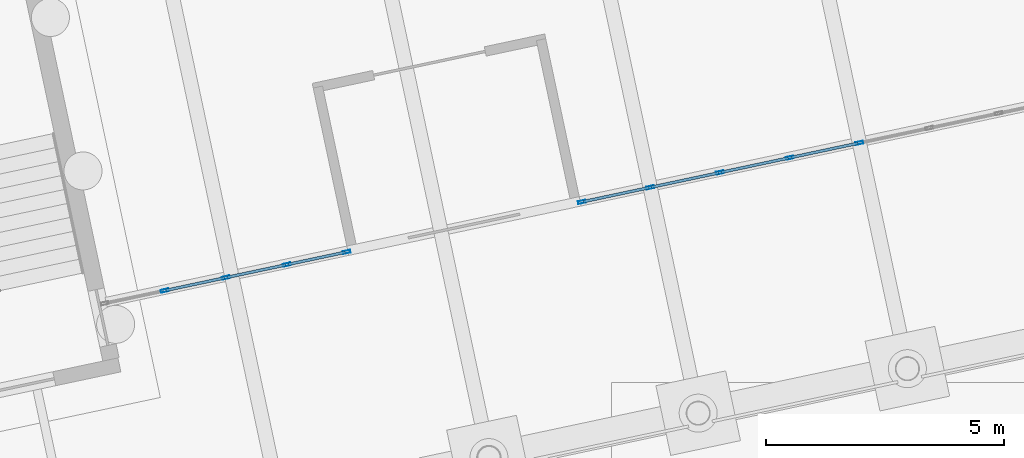
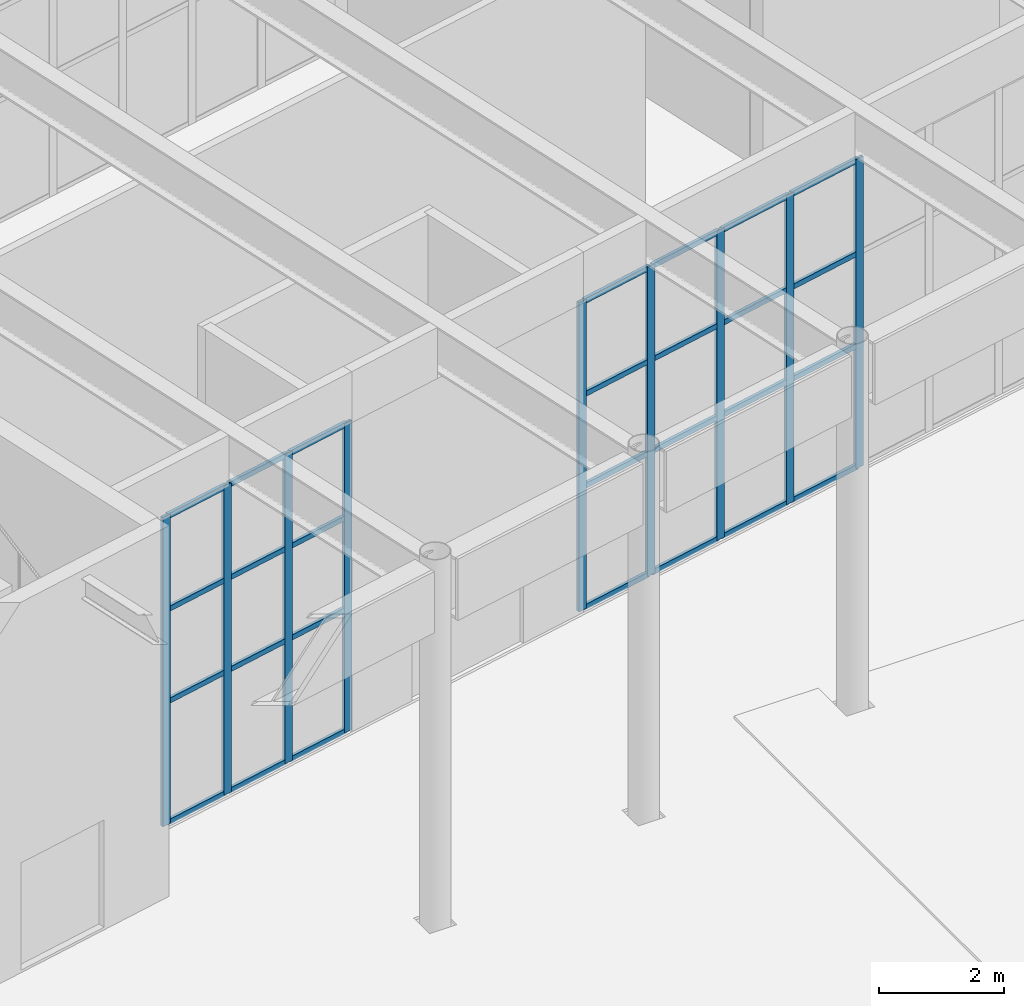
# One storey, part 56 of 239: 37 members, 2 elements without a shape of their own.
"""IFC4 building model written with IfcOpenShell, lengths in metres."""

import ifcopenshell
import ifcopenshell.guid

model = None  # the IFC model being written
_history = None  # IfcOwnerHistory: only IFC2X3 demands one
_inside = {}  # id of a spatial element -> (the spatial element, [elements in it])
_under = {}  # id of a project, library or spatial element -> (it, [spatial elements below it])
_declared = {}  # id of a project -> (the project, [libraries it declares])
_typed = {}  # id of a type object -> (the type object, [elements of that type])
_made_of = {}  # id of a material, layer set ... -> (it, [elements and type objects made of it])


def new_model(schema):
    """Start an empty IFC model of exactly this schema.

    Asked for "IFC4X3", IfcOpenShell would pick the latest addendum, in which some entities
    have other attributes; the version numbers below select the first issue.
    IFC2X3 requires an IfcOwnerHistory on every rooted entity: one is made here for all.
    """
    global model, _history
    if schema == "IFC4X3":
        model = ifcopenshell.file(schema_version=(4, 3, 0, 0))
    else:
        model = ifcopenshell.file(schema=schema)
    _inside.clear()
    _under.clear()
    _declared.clear()
    _typed.clear()
    _made_of.clear()
    _history = None
    if model.schema == "IFC2X3":
        org = make("IfcOrganization", Name="unknown")
        user = make(
            "IfcPersonAndOrganization",
            ThePerson=make("IfcPerson", FamilyName="unknown"),
            TheOrganization=org,
        )
        app = make(
            "IfcApplication",
            ApplicationDeveloper=org,
            Version="unknown",
            ApplicationFullName="unknown",
            ApplicationIdentifier="unknown",
        )
        _history = make(
            "IfcOwnerHistory",
            OwningUser=user,
            OwningApplication=app,
            ChangeAction="ADDED",
            CreationDate=0,
        )
    return model


def make(cls, **values):
    """One entity of the class cls with the attributes given. An attribute that is None is left unset."""
    return model.create_entity(
        cls, **{name: value for name, value in values.items() if value is not None}
    )


def rooted(cls, **values):
    """An entity with a GlobalId (a new one), such as an element, a storey or a relation."""
    return make(cls, GlobalId=ifcopenshell.guid.new(), OwnerHistory=_history, **values)


def si_unit(unit_type, name, prefix=None):
    """IfcSIUnit, for example si_unit("LENGTHUNIT", "METRE", prefix="MILLI")."""
    return make("IfcSIUnit", UnitType=unit_type, Prefix=prefix, Name=name)


def assignment(units):
    """IfcUnitAssignment: the units of a project."""
    return None if units is None else make("IfcUnitAssignment", Units=units)


def point(xyz):
    """IfcCartesianPoint."""
    return None if xyz is None else make("IfcCartesianPoint", Coordinates=xyz)


def direction(xyz):
    """IfcDirection."""
    return None if xyz is None else make("IfcDirection", DirectionRatios=xyz)


def frame(location, z_axis=None, x_axis=None):
    """IfcAxis2Placement3D, a coordinate frame: its origin and axes. An axis left out is left unset."""
    return make(
        "IfcAxis2Placement3D",
        Location=point(location),
        Axis=direction(z_axis),
        RefDirection=direction(x_axis),
    )


def frame_2d(location, x_axis=None):
    """IfcAxis2Placement2D, a coordinate frame in the plane: its origin and x axis."""
    return make(
        "IfcAxis2Placement2D", Location=point(location), RefDirection=direction(x_axis)
    )


def origin():
    """The frame at (0, 0, 0) with its axes left unset."""
    return frame((0.0, 0.0, 0.0))


def origin_2d():
    """The frame at (0, 0) in the plane with its x axis left unset."""
    return frame_2d((0.0, 0.0))


def place(relative_to, where):
    """IfcLocalPlacement: puts the frame where relative to a parent placement (None: the world)."""
    return make(
        "IfcLocalPlacement", PlacementRelTo=relative_to, RelativePlacement=where
    )


def context(
    kind, dimensions, precision=None, world=None, true_north=None, identifier=None
):
    """IfcGeometricRepresentationContext, for example the 3D "Model" context."""
    return make(
        "IfcGeometricRepresentationContext",
        ContextIdentifier=identifier,
        ContextType=kind,
        CoordinateSpaceDimension=dimensions,
        Precision=precision,
        WorldCoordinateSystem=world,
        TrueNorth=true_north,
    )


def subcontext(parent, identifier, kind, view, scale=None):
    """IfcGeometricRepresentationSubContext, for example "Body" below "Model"."""
    return make(
        "IfcGeometricRepresentationSubContext",
        ContextIdentifier=identifier,
        ContextType=kind,
        ParentContext=parent,
        TargetScale=scale,
        TargetView=view,
    )


def project(units=None, contexts=None):
    """IfcProject with its units and contexts."""
    return rooted(
        "IfcProject",
        Name="project",
        RepresentationContexts=contexts,
        UnitsInContext=assignment(units),
    )


def spatial(cls, under=None, at=None, **own):
    """A site, building, storey or space (cls), placed at a placement, below another one or the project."""
    s = rooted(cls, ObjectPlacement=at, **own)
    if under is not None:
        _under.setdefault(under.id(), (under, []))[1].append(s)
    return s


def profile(cls, at=None, kind="AREA", **sizes):
    """A parametric profile (cls). Its sizes go by their IFC names, for example OverallWidth=200.0."""
    return make(cls, ProfileType=kind, Position=at, **sizes)


def hollow_rectangle(**sizes):
    """IfcRectangleHollowProfileDef."""
    return profile("IfcRectangleHollowProfileDef", **sizes)


def extrude(swept, where, along, depth):
    """IfcExtrudedAreaSolid: the profile swept, set in the frame where, extruded along a direction by depth."""
    return make(
        "IfcExtrudedAreaSolid",
        SweptArea=swept,
        Position=where,
        ExtrudedDirection=direction(along),
        Depth=depth,
    )


def shape(context_of_items, identifier, shape_type, items):
    """IfcShapeRepresentation: the items that make up one representation, for example the "Body"."""
    return make(
        "IfcShapeRepresentation",
        ContextOfItems=context_of_items,
        RepresentationIdentifier=identifier,
        RepresentationType=shape_type,
        Items=items,
    )


def material(Name=None, Category=None):
    """IfcMaterial."""
    return make("IfcMaterial", Name=Name, Category=Category)


def material_profile(
    of_material, cross_section, Name=None, Category=None, Priority=None
):
    """IfcMaterialProfile: a cross section and its material."""
    return make(
        "IfcMaterialProfile",
        Name=Name,
        Material=of_material,
        Profile=cross_section,
        Priority=Priority,
        Category=Category,
    )


def profile_set(profiles, Name=None, composite=None):
    """IfcMaterialProfileSet."""
    return make(
        "IfcMaterialProfileSet",
        Name=Name,
        MaterialProfiles=profiles,
        CompositeProfile=composite,
    )


def made_of(thing, what):
    """Note that an element or type object is made of a material, layer set ...; save() writes the relation."""
    if what is not None:
        _made_of.setdefault(what.id(), (what, []))[1].append(thing)
    return thing


def type_object(cls, material=None, **own):
    """A type object (cls), such as IfcWallType, which elements share."""
    return made_of(rooted(cls, **own), material)


def element(
    cls,
    number,
    at=None,
    inside=None,
    cuts=None,
    type_object=None,
    material=None,
    context=None,
    identifier="Body",
    shape_type=None,
    held_by="IfcProductDefinitionShape",
    body=None,
    shapes=None,
    **own,
):
    """One element of the class cls, such as IfcWall. Its Tag is "e" and its number.

    at: its placement. inside: the storey or other place that contains it. cuts: it is an
    opening in that element (IfcRelVoidsElement). A single representation is given by context,
    identifier, shape_type and body (its items); several are given by shapes. held_by: the class
    of the entity that holds the representations. save() writes the other relations.
    """
    e = rooted(cls, Tag="e%d" % number, ObjectPlacement=at, **own)
    if body is not None:
        shapes = [shape(context, identifier, shape_type, body)]
    if shapes is not None:
        e.Representation = make(held_by, Representations=shapes)
    if inside is not None:
        _inside.setdefault(inside.id(), (inside, []))[1].append(e)
    if cuts is not None:
        rooted(
            "IfcRelVoidsElement", RelatingBuildingElement=cuts, RelatedOpeningElement=e
        )
    if type_object is not None:
        _typed.setdefault(type_object.id(), (type_object, []))[1].append(e)
    return made_of(e, material)


def aggregate(whole, parts):
    """IfcRelAggregates: a whole, such as a stair, and the parts it consists of."""
    return rooted("IfcRelAggregates", RelatingObject=whole, RelatedObjects=parts)


def save(model, path):
    """Write the relations noted so far, then the file.

    IfcRelAggregates (storeys below a building ...), IfcRelContainedInSpatialStructure (elements
    in a storey), IfcRelDefinesByType, IfcRelAssociatesMaterial and IfcRelDeclares: one each for
    every whole, place, type object, material and project.
    """
    for whole, parts in _under.values():
        aggregate(whole, parts)
    for where, things in _inside.values():
        rooted(
            "IfcRelContainedInSpatialStructure",
            RelatedElements=things,
            RelatingStructure=where,
        )
    for kind, things in _typed.values():
        rooted("IfcRelDefinesByType", RelatedObjects=things, RelatingType=kind)
    for what, things in _made_of.values():
        rooted("IfcRelAssociatesMaterial", RelatedObjects=things, RelatingMaterial=what)
    for by, libraries in _declared.values():
        rooted("IfcRelDeclares", RelatingContext=by, RelatedDefinitions=libraries)
    model.write(path)


model = new_model("IFC4")

# Units and contexts
model_context = context("Model", 3, precision=1e-05, world=origin(), true_north=direction((0.0, 1.0)))
body_context = subcontext(model_context, "Body", "Model", "MODEL_VIEW")
ifc_project = project(units=[si_unit("LENGTHUNIT", "METRE"), si_unit("AREAUNIT", "SQUARE_METRE"), si_unit("VOLUMEUNIT", "CUBIC_METRE"), si_unit("PLANEANGLEUNIT", "RADIAN"), si_unit("MASSUNIT", "GRAM", prefix="KILO")], contexts=[model_context])

# Site, building, storey
site_placement = place(None, origin())
site = spatial("IfcSite", under=ifc_project, at=site_placement, CompositionType="ELEMENT")
building_placement = place(site_placement, origin())
building = spatial("IfcBuilding", under=site, at=building_placement, Name="Okhra Congress Centre", CompositionType="ELEMENT")
storey_placement = place(building_placement, origin())
storey = spatial("IfcBuildingStorey", under=building, at=storey_placement, Name="L00", CompositionType="ELEMENT", Elevation=0.0)

# Curtain wall, members
ifc_material_1 = material(Name="Aluminium curtain wall, triple glazing", Category="aluminium")
curtain_wall_type = type_object("IfcCurtainWallType", Name="Curtain wall 1500 module", PredefinedType="NOTDEFINED", material=ifc_material_1)
curtain_wall_1_placement = place(storey_placement, origin())
curtain_wall_1 = element("IfcCurtainWall", 1, at=curtain_wall_1_placement, inside=storey, type_object=curtain_wall_type, Name="Ground curtain wall S1", PredefinedType="NOTDEFINED")
ifc_material_2 = material(Name="Aluminium alloy EN AW-6063 T66", Category="aluminium")
ifc_material_profile_1 = material_profile(ifc_material_2, hollow_rectangle(XDim=0.06005859375, YDim=0.159912109375, WallThickness=0.00390625, at=origin_2d()), Name="RHS 60x160x4")
ifc_profile_set_1 = profile_set([ifc_material_profile_1], Name="Aluminium alloy EN AW-6063 T66")
member_type_1 = type_object("IfcMemberType", Name="Curtain wall mullion 60x160", PredefinedType="MULLION", material=ifc_profile_set_1)
member_1_placement = place(storey_placement, frame((80.596435546875, 35.935791015625, 0.0), z_axis=(0.0, 0.0, 1.0), x_axis=(-0.207911690818, 0.978147600734, 0.0)))
member_1 = element("IfcMember", 2, at=member_1_placement, type_object=member_type_1, Name="CW7 mullion 2", PredefinedType="MULLION", context=body_context, shape_type="SweptSolid", body=[
    extrude(hollow_rectangle(XDim=0.06005859375, YDim=0.159912109375, WallThickness=0.00390625, at=origin_2d()), origin(), (0.0, 0.0, 1.0), 6.050048828125),
])
member_2_placement = place(storey_placement, frame((81.8828125, 36.209228515625, 0.0), z_axis=(0.0, 0.0, 1.0), x_axis=(-0.207911690818, 0.978147600734, 0.0)))
member_2 = element("IfcMember", 3, at=member_2_placement, type_object=member_type_1, Name="CW7 mullion 3", PredefinedType="MULLION", context=body_context, shape_type="SweptSolid", body=[
    extrude(hollow_rectangle(XDim=0.06005859375, YDim=0.159912109375, WallThickness=0.00390625, at=origin_2d()), origin(), (0.0, 0.0, 1.0), 6.050048828125),
])
member_3_placement = place(storey_placement, frame((83.1689453125, 36.482421875, 0.0), z_axis=(0.0, 0.0, 1.0), x_axis=(-0.207911690818, 0.978147600734, 0.0)))
member_3 = element("IfcMember", 4, at=member_3_placement, type_object=member_type_1, Name="CW7 mullion 4", PredefinedType="MULLION", context=body_context, shape_type="SweptSolid", body=[
    extrude(hollow_rectangle(XDim=0.06005859375, YDim=0.159912109375, WallThickness=0.00390625, at=origin_2d()), origin(), (0.0, 0.0, 1.0), 6.050048828125),
])
member_4_placement = place(storey_placement, frame((84.426025390625, 36.749755859375, 0.0), z_axis=(0.0, 0.0, 1.0), x_axis=(-0.207911690818, 0.978147600734, 0.0)))
member_4 = element("IfcMember", 5, at=member_4_placement, type_object=member_type_1, Name="CW7 mullion 5", PredefinedType="MULLION", context=body_context, shape_type="SweptSolid", body=[
    extrude(hollow_rectangle(XDim=0.06005859375, YDim=0.159912109375, WallThickness=0.00390625, at=origin_2d()), origin(), (0.0, 0.0, 1.0), 6.050048828125),
])

curtain_wall_2_placement = place(storey_placement, origin())
curtain_wall_2 = element("IfcCurtainWall", 6, at=curtain_wall_2_placement, inside=storey, type_object=curtain_wall_type, Name="Ground curtain wall S2", PredefinedType="NOTDEFINED")
member_5_placement = place(storey_placement, frame((89.375244140625, 37.8017578125, 0.0), z_axis=(0.0, 0.0, 1.0), x_axis=(-0.207911690818, 0.978147600734, 0.0)))
member_5 = element("IfcMember", 7, at=member_5_placement, type_object=member_type_1, Name="CW7 mullion 1", PredefinedType="MULLION", context=body_context, shape_type="SweptSolid", body=[
    extrude(hollow_rectangle(XDim=0.06005859375, YDim=0.159912109375, WallThickness=0.00390625, at=origin_2d()), origin(), (0.0, 0.0, 1.0), 6.050048828125),
])
member_6_placement = place(storey_placement, frame((90.813232421875, 38.107421875, 0.0), z_axis=(0.0, 0.0, 1.0), x_axis=(-0.207911690818, 0.978147600734, 0.0)))
member_6 = element("IfcMember", 8, at=member_6_placement, type_object=member_type_1, Name="CW7 mullion 2", PredefinedType="MULLION", context=body_context, shape_type="SweptSolid", body=[
    extrude(hollow_rectangle(XDim=0.06005859375, YDim=0.159912109375, WallThickness=0.00390625, at=origin_2d()), origin(), (0.0, 0.0, 1.0), 6.050048828125),
])
member_7_placement = place(storey_placement, frame((92.280517578125, 38.419189453125, 0.0), z_axis=(0.0, 0.0, 1.0), x_axis=(-0.207911690818, 0.978147600734, 0.0)))
member_7 = element("IfcMember", 9, at=member_7_placement, type_object=member_type_1, Name="CW7 mullion 3", PredefinedType="MULLION", context=body_context, shape_type="SweptSolid", body=[
    extrude(hollow_rectangle(XDim=0.06005859375, YDim=0.159912109375, WallThickness=0.00390625, at=origin_2d()), origin(), (0.0, 0.0, 1.0), 6.050048828125),
])
member_8_placement = place(storey_placement, frame((93.74755859375, 38.731201171875, 0.0), z_axis=(0.0, 0.0, 1.0), x_axis=(-0.207911690818, 0.978147600734, 0.0)))
member_8 = element("IfcMember", 10, at=member_8_placement, type_object=member_type_1, Name="CW7 mullion 4", PredefinedType="MULLION", context=body_context, shape_type="SweptSolid", body=[
    extrude(hollow_rectangle(XDim=0.06005859375, YDim=0.159912109375, WallThickness=0.00390625, at=origin_2d()), origin(), (0.0, 0.0, 1.0), 6.050048828125),
])
member_9_placement = place(storey_placement, frame((95.21484375, 39.04296875, 0.0), z_axis=(0.0, 0.0, 1.0), x_axis=(-0.207911690818, 0.978147600734, 0.0)))
member_9 = element("IfcMember", 11, at=member_9_placement, type_object=member_type_1, Name="CW7 mullion 5", PredefinedType="MULLION", context=body_context, shape_type="SweptSolid", body=[
    extrude(hollow_rectangle(XDim=0.06005859375, YDim=0.159912109375, WallThickness=0.00390625, at=origin_2d()), origin(), (0.0, 0.0, 1.0), 6.050048828125),
])

# Member
ifc_material_profile_2 = material_profile(ifc_material_2, hollow_rectangle(XDim=0.06005859375, YDim=0.10009765625, WallThickness=0.00390625, at=origin_2d()), Name="RHS 60x100x4")
ifc_profile_set_2 = profile_set([ifc_material_profile_2], Name="Aluminium alloy EN AW-6063 T66")
member_type_2 = type_object("IfcMemberType", Name="Curtain wall transom 60x100", PredefinedType="USERDEFINED", material=ifc_profile_set_2)
member_10_placement = place(storey_placement, frame((80.625732421875, 35.94189453125, 0.030029296875), z_axis=(0.978145502219, 0.207921563307, 0.0), x_axis=(-0.207921563307, 0.978145502219, 0.0)))
member_10 = element("IfcMember", 12, at=member_10_placement, type_object=member_type_2, Name="CW7 transom 2.1", ObjectType="TRANSOM", PredefinedType="USERDEFINED", context=body_context, shape_type="SweptSolid", body=[
    extrude(hollow_rectangle(XDim=0.06005859375, YDim=0.10009765625, WallThickness=0.00390625, at=origin_2d()), origin(), (0.0, 0.0, 1.0), 1.255126953125),
])

member_11_placement = place(storey_placement, frame((80.625732421875, 35.94189453125, 2.39990234375), z_axis=(0.978145502219, 0.207921563307, 0.0), x_axis=(-0.207921563307, 0.978145502219, 0.0)))
member_11 = element("IfcMember", 13, at=member_11_placement, type_object=member_type_2, Name="CW7 transom 2.2", ObjectType="TRANSOM", PredefinedType="USERDEFINED", context=body_context, shape_type="SweptSolid", body=[
    extrude(hollow_rectangle(XDim=0.06005859375, YDim=0.10009765625, WallThickness=0.00390625, at=origin_2d()), origin(), (0.0, 0.0, 1.0), 1.255126953125),
])

member_12_placement = place(storey_placement, frame((80.625732421875, 35.94189453125, 4.199951171875), z_axis=(0.978145502219, 0.207921563307, 0.0), x_axis=(-0.207921563307, 0.978145502219, 0.0)))
member_12 = element("IfcMember", 14, at=member_12_placement, type_object=member_type_2, Name="CW7 transom 2.3", ObjectType="TRANSOM", PredefinedType="USERDEFINED", context=body_context, shape_type="SweptSolid", body=[
    extrude(hollow_rectangle(XDim=0.06005859375, YDim=0.10009765625, WallThickness=0.00390625, at=origin_2d()), origin(), (0.0, 0.0, 1.0), 1.255126953125),
])

member_13_placement = place(storey_placement, frame((80.625732421875, 35.94189453125, 6.02001953125), z_axis=(0.978145502219, 0.207921563307, 0.0), x_axis=(-0.207921563307, 0.978145502219, 0.0)))
member_13 = element("IfcMember", 15, at=member_13_placement, type_object=member_type_2, Name="CW7 transom 2.4", ObjectType="TRANSOM", PredefinedType="USERDEFINED", context=body_context, shape_type="SweptSolid", body=[
    extrude(hollow_rectangle(XDim=0.06005859375, YDim=0.10009765625, WallThickness=0.00390625, at=origin_2d()), origin(), (0.0, 0.0, 1.0), 1.255126953125),
])

member_14_placement = place(storey_placement, frame((81.912109375, 36.21533203125, 0.030029296875), z_axis=(0.978137091273, 0.207961127799, 0.0), x_axis=(-0.207961127799, 0.978137091273, 0.0)))
member_14 = element("IfcMember", 16, at=member_14_placement, type_object=member_type_2, Name="CW7 transom 3.1", ObjectType="TRANSOM", PredefinedType="USERDEFINED", context=body_context, shape_type="SweptSolid", body=[
    extrude(hollow_rectangle(XDim=0.06005859375, YDim=0.10009765625, WallThickness=0.00390625, at=origin_2d()), origin(), (0.0, 0.0, 1.0), 1.2548828125),
])

member_15_placement = place(storey_placement, frame((81.912109375, 36.21533203125, 2.39990234375), z_axis=(0.978137091273, 0.207961127799, 0.0), x_axis=(-0.207961127799, 0.978137091273, 0.0)))
member_15 = element("IfcMember", 17, at=member_15_placement, type_object=member_type_2, Name="CW7 transom 3.2", ObjectType="TRANSOM", PredefinedType="USERDEFINED", context=body_context, shape_type="SweptSolid", body=[
    extrude(hollow_rectangle(XDim=0.06005859375, YDim=0.10009765625, WallThickness=0.00390625, at=origin_2d()), origin(), (0.0, 0.0, 1.0), 1.2548828125),
])

member_16_placement = place(storey_placement, frame((81.912109375, 36.21533203125, 4.199951171875), z_axis=(0.978137091273, 0.207961127799, 0.0), x_axis=(-0.207961127799, 0.978137091273, 0.0)))
member_16 = element("IfcMember", 18, at=member_16_placement, type_object=member_type_2, Name="CW7 transom 3.3", ObjectType="TRANSOM", PredefinedType="USERDEFINED", context=body_context, shape_type="SweptSolid", body=[
    extrude(hollow_rectangle(XDim=0.06005859375, YDim=0.10009765625, WallThickness=0.00390625, at=origin_2d()), origin(), (0.0, 0.0, 1.0), 1.2548828125),
])

member_17_placement = place(storey_placement, frame((81.912109375, 36.21533203125, 6.02001953125), z_axis=(0.978137091273, 0.207961127799, 0.0), x_axis=(-0.207961127799, 0.978137091273, 0.0)))
member_17 = element("IfcMember", 19, at=member_17_placement, type_object=member_type_2, Name="CW7 transom 3.4", ObjectType="TRANSOM", PredefinedType="USERDEFINED", context=body_context, shape_type="SweptSolid", body=[
    extrude(hollow_rectangle(XDim=0.06005859375, YDim=0.10009765625, WallThickness=0.00390625, at=origin_2d()), origin(), (0.0, 0.0, 1.0), 1.2548828125),
])

member_18_placement = place(storey_placement, frame((83.1982421875, 36.48876953125, 0.030029296875), z_axis=(0.978156824814, 0.207868290196, 0.0), x_axis=(-0.207868290196, 0.978156824814, 0.0)))
member_18 = element("IfcMember", 20, at=member_18_placement, type_object=member_type_2, Name="CW7 transom 4.1", ObjectType="TRANSOM", PredefinedType="USERDEFINED", context=body_context, shape_type="SweptSolid", body=[
    extrude(hollow_rectangle(XDim=0.06005859375, YDim=0.10009765625, WallThickness=0.00390625, at=origin_2d()), origin(), (0.0, 0.0, 1.0), 1.22509765625),
])

member_19_placement = place(storey_placement, frame((83.1982421875, 36.48876953125, 2.39990234375), z_axis=(0.978156824814, 0.207868290196, 0.0), x_axis=(-0.207868290196, 0.978156824814, 0.0)))
member_19 = element("IfcMember", 21, at=member_19_placement, type_object=member_type_2, Name="CW7 transom 4.2", ObjectType="TRANSOM", PredefinedType="USERDEFINED", context=body_context, shape_type="SweptSolid", body=[
    extrude(hollow_rectangle(XDim=0.06005859375, YDim=0.10009765625, WallThickness=0.00390625, at=origin_2d()), origin(), (0.0, 0.0, 1.0), 1.22509765625),
])

member_20_placement = place(storey_placement, frame((83.1982421875, 36.48876953125, 4.199951171875), z_axis=(0.978156824814, 0.207868290196, 0.0), x_axis=(-0.207868290196, 0.978156824814, 0.0)))
member_20 = element("IfcMember", 22, at=member_20_placement, type_object=member_type_2, Name="CW7 transom 4.3", ObjectType="TRANSOM", PredefinedType="USERDEFINED", context=body_context, shape_type="SweptSolid", body=[
    extrude(hollow_rectangle(XDim=0.06005859375, YDim=0.10009765625, WallThickness=0.00390625, at=origin_2d()), origin(), (0.0, 0.0, 1.0), 1.22509765625),
])

member_21_placement = place(storey_placement, frame((83.1982421875, 36.48876953125, 6.02001953125), z_axis=(0.978156824814, 0.207868290196, 0.0), x_axis=(-0.207868290196, 0.978156824814, 0.0)))
member_21 = element("IfcMember", 23, at=member_21_placement, type_object=member_type_2, Name="CW7 transom 4.4", ObjectType="TRANSOM", PredefinedType="USERDEFINED", context=body_context, shape_type="SweptSolid", body=[
    extrude(hollow_rectangle(XDim=0.06005859375, YDim=0.10009765625, WallThickness=0.00390625, at=origin_2d()), origin(), (0.0, 0.0, 1.0), 1.22509765625),
])

aggregate(curtain_wall_1, [member_1, member_2, member_3, member_4, member_10, member_11, member_12, member_13, member_14, member_15, member_16, member_17, member_18, member_19, member_20, member_21])

member_22_placement = place(storey_placement, frame((89.40478515625, 37.807861328125, 0.030029296875), z_axis=(0.978138163043, 0.207956086708, 0.0), x_axis=(-0.207956086708, 0.978138163043, 0.0)))
member_22 = element("IfcMember", 24, at=member_22_placement, type_object=member_type_2, Name="CW7 transom 1.1", ObjectType="TRANSOM", PredefinedType="USERDEFINED", context=body_context, shape_type="SweptSolid", body=[
    extrude(hollow_rectangle(XDim=0.06005859375, YDim=0.10009765625, WallThickness=0.00390625, at=origin_2d()), origin(), (0.0, 0.0, 1.0), 1.409912109375),
])

member_23_placement = place(storey_placement, frame((89.40478515625, 37.807861328125, 2.39990234375), z_axis=(0.978138163043, 0.207956086708, 0.0), x_axis=(-0.207956086708, 0.978138163043, 0.0)))
member_23 = element("IfcMember", 25, at=member_23_placement, type_object=member_type_2, Name="CW7 transom 1.2", ObjectType="TRANSOM", PredefinedType="USERDEFINED", context=body_context, shape_type="SweptSolid", body=[
    extrude(hollow_rectangle(XDim=0.06005859375, YDim=0.10009765625, WallThickness=0.00390625, at=origin_2d()), origin(), (0.0, 0.0, 1.0), 1.409912109375),
])

member_24_placement = place(storey_placement, frame((89.40478515625, 37.807861328125, 4.199951171875), z_axis=(0.978138163043, 0.207956086708, 0.0), x_axis=(-0.207956086708, 0.978138163043, 0.0)))
member_24 = element("IfcMember", 26, at=member_24_placement, type_object=member_type_2, Name="CW7 transom 1.3", ObjectType="TRANSOM", PredefinedType="USERDEFINED", context=body_context, shape_type="SweptSolid", body=[
    extrude(hollow_rectangle(XDim=0.06005859375, YDim=0.10009765625, WallThickness=0.00390625, at=origin_2d()), origin(), (0.0, 0.0, 1.0), 1.409912109375),
])

member_25_placement = place(storey_placement, frame((89.40478515625, 37.807861328125, 6.02001953125), z_axis=(0.978138163043, 0.207956086708, 0.0), x_axis=(-0.207956086708, 0.978138163043, 0.0)))
member_25 = element("IfcMember", 27, at=member_25_placement, type_object=member_type_2, Name="CW7 transom 1.4", ObjectType="TRANSOM", PredefinedType="USERDEFINED", context=body_context, shape_type="SweptSolid", body=[
    extrude(hollow_rectangle(XDim=0.06005859375, YDim=0.10009765625, WallThickness=0.00390625, at=origin_2d()), origin(), (0.0, 0.0, 1.0), 1.409912109375),
])

member_26_placement = place(storey_placement, frame((90.842529296875, 38.113525390625, 0.030029296875), z_axis=(0.978128682385, 0.208000674746, 0.0), x_axis=(-0.208000674746, 0.978128682385, 0.0)))
member_26 = element("IfcMember", 28, at=member_26_placement, type_object=member_type_2, Name="CW7 transom 2.1", ObjectType="TRANSOM", PredefinedType="USERDEFINED", context=body_context, shape_type="SweptSolid", body=[
    extrude(hollow_rectangle(XDim=0.06005859375, YDim=0.10009765625, WallThickness=0.00390625, at=origin_2d()), origin(), (0.0, 0.0, 1.0), 1.440185546875),
])

member_27_placement = place(storey_placement, frame((90.842529296875, 38.113525390625, 2.39990234375), z_axis=(0.978128682385, 0.208000674746, 0.0), x_axis=(-0.208000674746, 0.978128682385, 0.0)))
member_27 = element("IfcMember", 29, at=member_27_placement, type_object=member_type_2, Name="CW7 transom 2.2", ObjectType="TRANSOM", PredefinedType="USERDEFINED", context=body_context, shape_type="SweptSolid", body=[
    extrude(hollow_rectangle(XDim=0.06005859375, YDim=0.10009765625, WallThickness=0.00390625, at=origin_2d()), origin(), (0.0, 0.0, 1.0), 1.440185546875),
])

member_28_placement = place(storey_placement, frame((90.842529296875, 38.113525390625, 4.199951171875), z_axis=(0.978128682385, 0.208000674746, 0.0), x_axis=(-0.208000674746, 0.978128682385, 0.0)))
member_28 = element("IfcMember", 30, at=member_28_placement, type_object=member_type_2, Name="CW7 transom 2.3", ObjectType="TRANSOM", PredefinedType="USERDEFINED", context=body_context, shape_type="SweptSolid", body=[
    extrude(hollow_rectangle(XDim=0.06005859375, YDim=0.10009765625, WallThickness=0.00390625, at=origin_2d()), origin(), (0.0, 0.0, 1.0), 1.440185546875),
])

member_29_placement = place(storey_placement, frame((90.842529296875, 38.113525390625, 6.02001953125), z_axis=(0.978128682385, 0.208000674746, 0.0), x_axis=(-0.208000674746, 0.978128682385, 0.0)))
member_29 = element("IfcMember", 31, at=member_29_placement, type_object=member_type_2, Name="CW7 transom 2.4", ObjectType="TRANSOM", PredefinedType="USERDEFINED", context=body_context, shape_type="SweptSolid", body=[
    extrude(hollow_rectangle(XDim=0.06005859375, YDim=0.10009765625, WallThickness=0.00390625, at=origin_2d()), origin(), (0.0, 0.0, 1.0), 1.440185546875),
])

member_30_placement = place(storey_placement, frame((92.309814453125, 38.425537109375, 0.030029296875), z_axis=(0.978155834385, 0.207872950764, 0.0), x_axis=(-0.207872950764, 0.978155834385, 0.0)))
member_30 = element("IfcMember", 32, at=member_30_placement, type_object=member_type_2, Name="CW7 transom 3.1", ObjectType="TRANSOM", PredefinedType="USERDEFINED", context=body_context, shape_type="SweptSolid", body=[
    extrude(hollow_rectangle(XDim=0.06005859375, YDim=0.10009765625, WallThickness=0.00390625, at=origin_2d()), origin(), (0.0, 0.0, 1.0), 1.43994140625),
])

member_31_placement = place(storey_placement, frame((92.309814453125, 38.425537109375, 2.39990234375), z_axis=(0.978155834385, 0.207872950764, 0.0), x_axis=(-0.207872950764, 0.978155834385, 0.0)))
member_31 = element("IfcMember", 33, at=member_31_placement, type_object=member_type_2, Name="CW7 transom 3.2", ObjectType="TRANSOM", PredefinedType="USERDEFINED", context=body_context, shape_type="SweptSolid", body=[
    extrude(hollow_rectangle(XDim=0.06005859375, YDim=0.10009765625, WallThickness=0.00390625, at=origin_2d()), origin(), (0.0, 0.0, 1.0), 1.43994140625),
])

member_32_placement = place(storey_placement, frame((92.309814453125, 38.425537109375, 4.199951171875), z_axis=(0.978155834385, 0.207872950764, 0.0), x_axis=(-0.207872950764, 0.978155834385, 0.0)))
member_32 = element("IfcMember", 34, at=member_32_placement, type_object=member_type_2, Name="CW7 transom 3.3", ObjectType="TRANSOM", PredefinedType="USERDEFINED", context=body_context, shape_type="SweptSolid", body=[
    extrude(hollow_rectangle(XDim=0.06005859375, YDim=0.10009765625, WallThickness=0.00390625, at=origin_2d()), origin(), (0.0, 0.0, 1.0), 1.43994140625),
])

member_33_placement = place(storey_placement, frame((92.309814453125, 38.425537109375, 6.02001953125), z_axis=(0.978155834385, 0.207872950764, 0.0), x_axis=(-0.207872950764, 0.978155834385, 0.0)))
member_33 = element("IfcMember", 35, at=member_33_placement, type_object=member_type_2, Name="CW7 transom 3.4", ObjectType="TRANSOM", PredefinedType="USERDEFINED", context=body_context, shape_type="SweptSolid", body=[
    extrude(hollow_rectangle(XDim=0.06005859375, YDim=0.10009765625, WallThickness=0.00390625, at=origin_2d()), origin(), (0.0, 0.0, 1.0), 1.43994140625),
])

member_34_placement = place(storey_placement, frame((93.777099609375, 38.7373046875, 0.030029296875), z_axis=(0.978155834385, 0.207872950764, 0.0), x_axis=(-0.207872950764, 0.978155834385, 0.0)))
member_34 = element("IfcMember", 36, at=member_34_placement, type_object=member_type_2, Name="CW7 transom 4.1", ObjectType="TRANSOM", PredefinedType="USERDEFINED", context=body_context, shape_type="SweptSolid", body=[
    extrude(hollow_rectangle(XDim=0.06005859375, YDim=0.10009765625, WallThickness=0.00390625, at=origin_2d()), origin(), (0.0, 0.0, 1.0), 1.43994140625),
])

member_35_placement = place(storey_placement, frame((93.777099609375, 38.7373046875, 2.39990234375), z_axis=(0.978155834385, 0.207872950764, 0.0), x_axis=(-0.207872950764, 0.978155834385, 0.0)))
member_35 = element("IfcMember", 37, at=member_35_placement, type_object=member_type_2, Name="CW7 transom 4.2", ObjectType="TRANSOM", PredefinedType="USERDEFINED", context=body_context, shape_type="SweptSolid", body=[
    extrude(hollow_rectangle(XDim=0.06005859375, YDim=0.10009765625, WallThickness=0.00390625, at=origin_2d()), origin(), (0.0, 0.0, 1.0), 1.43994140625),
])

member_36_placement = place(storey_placement, frame((93.777099609375, 38.7373046875, 4.199951171875), z_axis=(0.978155834385, 0.207872950764, 0.0), x_axis=(-0.207872950764, 0.978155834385, 0.0)))
member_36 = element("IfcMember", 38, at=member_36_placement, type_object=member_type_2, Name="CW7 transom 4.3", ObjectType="TRANSOM", PredefinedType="USERDEFINED", context=body_context, shape_type="SweptSolid", body=[
    extrude(hollow_rectangle(XDim=0.06005859375, YDim=0.10009765625, WallThickness=0.00390625, at=origin_2d()), origin(), (0.0, 0.0, 1.0), 1.43994140625),
])

member_37_placement = place(storey_placement, frame((93.777099609375, 38.7373046875, 6.02001953125), z_axis=(0.978155834385, 0.207872950764, 0.0), x_axis=(-0.207872950764, 0.978155834385, 0.0)))
member_37 = element("IfcMember", 39, at=member_37_placement, type_object=member_type_2, Name="CW7 transom 4.4", ObjectType="TRANSOM", PredefinedType="USERDEFINED", context=body_context, shape_type="SweptSolid", body=[
    extrude(hollow_rectangle(XDim=0.06005859375, YDim=0.10009765625, WallThickness=0.00390625, at=origin_2d()), origin(), (0.0, 0.0, 1.0), 1.43994140625),
])

aggregate(curtain_wall_2, [member_5, member_6, member_7, member_8, member_9, member_22, member_23, member_24, member_25, member_26, member_27, member_28, member_29, member_30, member_31, member_32, member_33, member_34, member_35, member_36, member_37])

save(model, "model.ifc")
